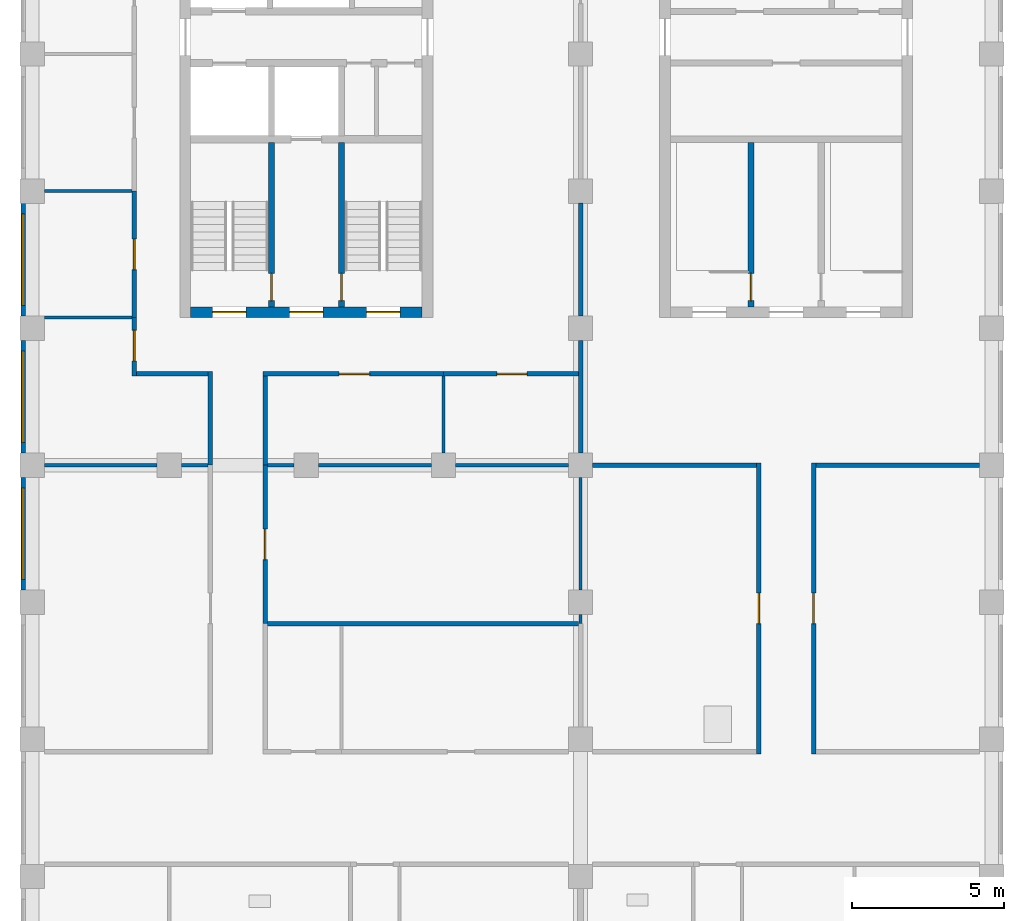
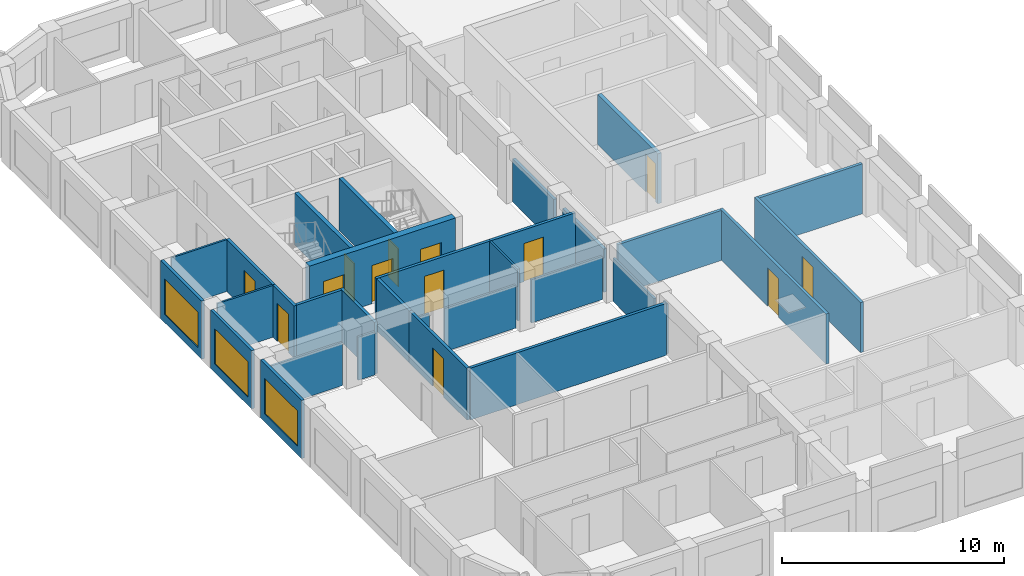
# One storey, part 4 of 10: 32 walls, 13 doors, 3 windows, 16 openings.
"""IFC4 building model written with IfcOpenShell, lengths in metres."""

from ifc_helpers import new_model, si_unit, direction, frame, frame_2d, origin, place, context, subcontext, project, spatial, rectangle, extrude, material, layer, layer_set, type_object, element, fill, save


model = new_model("IFC4")

# Units and contexts
model_context = context("Model", 3, precision=1e-05, world=origin(), true_north=direction((0.0, 1.0)))
body_context = subcontext(model_context, "Body", "Model", "MODEL_VIEW")
ifc_project = project(units=[si_unit("LENGTHUNIT", "METRE"), si_unit("AREAUNIT", "SQUARE_METRE"), si_unit("VOLUMEUNIT", "CUBIC_METRE"), si_unit("PLANEANGLEUNIT", "RADIAN"), si_unit("MASSUNIT", "GRAM", prefix="KILO")], contexts=[model_context])

# Site, building, storey
site_placement = place(None, origin())
site = spatial("IfcSite", under=ifc_project, at=site_placement, CompositionType="ELEMENT")
building_placement = place(site_placement, origin())
building = spatial("IfcBuilding", under=site, at=building_placement, Name="Girih Gate Residences", CompositionType="ELEMENT")
storey_placement = place(building_placement, frame((0.0, 0.0, 232.4951171875)))
storey = spatial("IfcBuildingStorey", under=building, at=storey_placement, Name="L65", CompositionType="ELEMENT", Elevation=232.4951171875)

# Wall, opening, door
ifc_material_1 = material(Name="Gypsum board on steel studs", Category="steel")
ifc_layer_1 = layer(ifc_material_1, 0.14990234375)
ifc_layer_set_1 = layer_set([ifc_layer_1], Name="Compartment wall 150 mm")
wall_type_1 = type_object("IfcWallType", Name="Compartment wall 150 mm", PredefinedType="PARTITIONING", material=ifc_layer_set_1)
wall_1_placement = place(storey_placement, frame((7.64990234375, 22.5, 0.0), z_axis=(0.0, 0.0, 1.0), x_axis=(0.0, -1.0, 0.0)))
wall_1 = element("IfcWall", 1, at=wall_1_placement, inside=storey, type_object=wall_type_1, Name="L65 partition", PredefinedType="PARTITIONING", context=body_context, shape_type="SweptSolid", body=[
    extrude(rectangle(XDim=5.199951171875, YDim=0.14990234375, at=frame_2d((2.60009765625, 0.0))), origin(), (0.0, 0.0, 1.0), 2.849853515625),
])
opening_1_placement = place(wall_1_placement, frame((2.10009765625, 0.0, 0.0)))
opening_1 = element("IfcOpeningElement", 2, at=opening_1_placement, cuts=wall_1, Name="Opening A65-024", PredefinedType="OPENING", context=body_context, shape_type="SweptSolid", body=[
    extrude(rectangle(XDim=1.0, YDim=2.10009765625, at=frame_2d((0.5, 1.050048828125))), frame((0.0, 0.0849609375, 0.0), z_axis=(0.0, -1.0, 0.0), x_axis=(1.0, 0.0, 0.0)), (0.0, 0.0, 1.0), 0.169921875),
])
ifc_material_2 = material(Name="Timber, fire-rated core", Category="wood")
door_type_1 = type_object("IfcDoorType", Name="Amenity room door 1000x2100 FD30S", OperationType="NOTDEFINED", PredefinedType="DOOR", material=ifc_material_2)
door_1_placement = place(opening_1_placement, origin())
door_1 = element("IfcDoor", 3, at=door_1_placement, inside=storey, type_object=door_type_1, Name="Door A65-024", OperationType="SINGLE_SWING_RIGHT", OverallHeight=2.10009765625, OverallWidth=1.0, PredefinedType="DOOR", context=body_context, shape_type="SweptSolid", body=[
    extrude(rectangle(XDim=1.0, YDim=2.10009765625, at=frame_2d((0.5, 1.050048828125))), frame((0.0, 0.02490234375, 0.0), z_axis=(0.0, -1.0, 0.0), x_axis=(1.0, 0.0, 0.0)), (0.0, 0.0, 1.0), 0.050048828125),
])
fill(opening_1, door_1)

# Walls
wall_2_placement = place(storey_placement, frame((7.72509765625, 17.300048828125, 0.0), z_axis=(0.0, 0.0, 1.0), x_axis=(1.0, 0.0, 0.0)))
element("IfcWall", 4, at=wall_2_placement, inside=storey, type_object=wall_type_1, Name="L65 partition", PredefinedType="PARTITIONING", context=body_context, shape_type="SweptSolid", body=[
    extrude(rectangle(XDim=10.199951171875, YDim=0.14990234375, at=frame_2d((5.10009765625, 0.0))), origin(), (0.0, 0.0, 1.0), 2.849853515625),
])
for number, where, z_axis, x_axis, name in (
    (5, (18.39990234375, 22.5, 0.0), (0.0, 0.0, 1.0), (1.0, 0.0, 0.0), "L65 partition"),
    (6, (25.72509765625, 22.5, 0.0), (0.0, 0.0, 1.0), (1.0, 0.0, 0.0), "L65 partition"),
):
    element("IfcWall", number, at=place(storey_placement, frame(where, z_axis=z_axis, x_axis=x_axis)), inside=storey, type_object=wall_type_1, Name=name, PredefinedType="PARTITIONING", context=body_context, shape_type="SweptSolid", body=[
        extrude(rectangle(XDim=5.375, YDim=0.14990234375, at=frame_2d((2.6875, 0.0))), origin(), (0.0, 0.0, 1.0), 2.75),
    ])
for number, where, z_axis, x_axis, name in (
    (7, (18.0, 27.39990234375, 0.0), (0.0, 0.0, 1.0), (0.0, 1.0, 0.0), "L65 partition"),
    (8, (18.0, 22.89990234375, 0.0), (0.0, 0.0, 1.0), (0.0, 1.0, 0.0), "L65 partition"),
):
    element("IfcWall", number, at=place(storey_placement, frame(where, z_axis=z_axis, x_axis=x_axis)), inside=storey, type_object=wall_type_1, Name=name, PredefinedType="PARTITIONING", context=body_context, shape_type="SweptSolid", body=[
        extrude(rectangle(XDim=3.7001953125, YDim=0.14990234375, at=frame_2d((1.85009765625, 0.0))), origin(), (0.0, 0.0, 1.0), 2.3798828125),
    ])

# Wall, opening, door
wall_3_placement = place(storey_placement, frame((23.85009765625, 13.02490234375, 0.0), z_axis=(0.0, 0.0, 1.0), x_axis=(0.0, 1.0, 0.0)))
wall_3 = element("IfcWall", 9, at=wall_3_placement, inside=storey, type_object=wall_type_1, Name="L65 partition", PredefinedType="PARTITIONING", context=body_context, shape_type="SweptSolid", body=[
    extrude(rectangle(XDim=9.550048828125, YDim=0.14990234375, at=frame_2d((4.77490234375, 0.0))), origin(), (0.0, 0.0, 1.0), 2.75),
])
opening_2_placement = place(wall_3_placement, frame((4.27490234375, 0.0, 0.0)))
opening_2 = element("IfcOpeningElement", 10, at=opening_2_placement, cuts=wall_3, Name="Opening A65-027", PredefinedType="OPENING", context=body_context, shape_type="SweptSolid", body=[
    extrude(rectangle(XDim=1.0, YDim=2.10009765625, at=frame_2d((0.5, 1.050048828125))), frame((0.0, 0.0849609375, 0.0), z_axis=(0.0, -1.0, 0.0), x_axis=(1.0, 0.0, 0.0)), (0.0, 0.0, 1.0), 0.169921875),
])
door_2_placement = place(opening_2_placement, origin())
door_2 = element("IfcDoor", 11, at=door_2_placement, inside=storey, type_object=door_type_1, Name="Door A65-027", OperationType="SINGLE_SWING_RIGHT", OverallHeight=2.10009765625, OverallWidth=1.0, PredefinedType="DOOR", context=body_context, shape_type="SweptSolid", body=[
    extrude(rectangle(XDim=1.0, YDim=2.10009765625, at=frame_2d((0.5, 1.050048828125))), frame((0.0, 0.02490234375, 0.0), z_axis=(0.0, -1.0, 0.0), x_axis=(1.0, 0.0, 0.0)), (0.0, 0.0, 1.0), 0.050048828125),
])
fill(opening_2, door_2)

wall_4_placement = place(storey_placement, frame((25.64990234375, 22.574951171875, 0.0), z_axis=(0.0, 0.0, 1.0), x_axis=(0.0, -1.0, 0.0)))
wall_4 = element("IfcWall", 12, at=wall_4_placement, inside=storey, type_object=wall_type_1, Name="L65 partition", PredefinedType="PARTITIONING", context=body_context, shape_type="SweptSolid", body=[
    extrude(rectangle(XDim=9.550048828125, YDim=0.14990234375, at=frame_2d((4.77490234375, 0.0))), origin(), (0.0, 0.0, 1.0), 2.75),
])
opening_3_placement = place(wall_4_placement, frame((4.27490234375, 0.0, 0.0)))
opening_3 = element("IfcOpeningElement", 13, at=opening_3_placement, cuts=wall_4, Name="Opening A65-028", PredefinedType="OPENING", context=body_context, shape_type="SweptSolid", body=[
    extrude(rectangle(XDim=1.0, YDim=2.10009765625, at=frame_2d((0.5, 1.050048828125))), frame((0.0, 0.0849609375, 0.0), z_axis=(0.0, -1.0, 0.0), x_axis=(1.0, 0.0, 0.0)), (0.0, 0.0, 1.0), 0.169921875),
])
door_3_placement = place(opening_3_placement, origin())
door_3 = element("IfcDoor", 14, at=door_3_placement, inside=storey, type_object=door_type_1, Name="Door A65-028", OperationType="SINGLE_SWING_LEFT", OverallHeight=2.10009765625, OverallWidth=1.0, PredefinedType="DOOR", context=body_context, shape_type="SweptSolid", body=[
    extrude(rectangle(XDim=1.0, YDim=2.10009765625, at=frame_2d((0.5, 1.050048828125))), frame((0.0, 0.02490234375, 0.0), z_axis=(0.0, -1.0, 0.0), x_axis=(1.0, 0.0, 0.0)), (0.0, 0.0, 1.0), 0.050048828125),
])
fill(opening_3, door_3)

# Walls
wall_5_placement = place(storey_placement, frame((5.85009765625, 22.5, 0.0), z_axis=(0.0, 0.0, 1.0), x_axis=(0.0, 1.0, 0.0)))
element("IfcWall", 15, at=wall_5_placement, inside=storey, type_object=wall_type_1, Name="L65 partition", PredefinedType="PARTITIONING", context=body_context, shape_type="SweptSolid", body=[
    extrude(rectangle(XDim=3.074951171875, YDim=0.14990234375, at=frame_2d((1.53759765625, 0.0))), origin(), (0.0, 0.0, 1.0), 2.849853515625),
])
wall_6_placement = place(storey_placement, frame((3.425048828125, 25.5, 0.0), z_axis=(0.0, 0.0, 1.0), x_axis=(1.0, 0.0, 0.0)))
element("IfcWall", 16, at=wall_6_placement, inside=storey, type_object=wall_type_1, Name="L65 partition", PredefinedType="PARTITIONING", context=body_context, shape_type="SweptSolid", body=[
    extrude(rectangle(XDim=2.349853515625, YDim=0.14990234375, at=frame_2d((1.1748046875, 0.0))), origin(), (0.0, 0.0, 1.0), 2.849853515625),
])

# Wall, opening, door
wall_7_placement = place(storey_placement, frame((3.35009765625, 25.425048828125, 0.0), z_axis=(0.0, 0.0, 1.0), x_axis=(0.0, 1.0, 0.0)))
wall_7 = element("IfcWall", 17, at=wall_7_placement, inside=storey, type_object=wall_type_1, Name="L65 partition", PredefinedType="PARTITIONING", context=body_context, shape_type="SweptSolid", body=[
    extrude(rectangle(XDim=1.925048828125, YDim=0.14990234375, at=frame_2d((0.96240234375, 0.0))), origin(), (0.0, 0.0, 1.0), 2.849853515625),
])
opening_4_placement = place(wall_7_placement, frame((0.5, 0.0, 0.0)))
opening_4 = element("IfcOpeningElement", 18, at=opening_4_placement, cuts=wall_7, Name="Opening A65-031", PredefinedType="OPENING", context=body_context, shape_type="SweptSolid", body=[
    extrude(rectangle(XDim=1.0, YDim=2.10009765625, at=frame_2d((0.5, 1.050048828125))), frame((0.0, 0.0849609375, 0.0), z_axis=(0.0, -1.0, 0.0), x_axis=(1.0, 0.0, 0.0)), (0.0, 0.0, 1.0), 0.169921875),
])
door_4_placement = place(opening_4_placement, origin())
door_4 = element("IfcDoor", 19, at=door_4_placement, inside=storey, type_object=door_type_1, Name="Door A65-031", OperationType="SINGLE_SWING_RIGHT", OverallHeight=2.10009765625, OverallWidth=1.0, PredefinedType="DOOR", context=body_context, shape_type="SweptSolid", body=[
    extrude(rectangle(XDim=1.0, YDim=2.10009765625, at=frame_2d((0.5, 1.050048828125))), frame((0.0, 0.02490234375, 0.0), z_axis=(0.0, -1.0, 0.0), x_axis=(1.0, 0.0, 0.0)), (0.0, 0.0, 1.0), 0.050048828125),
])
fill(opening_4, door_4)

wall_8_placement = place(storey_placement, frame((13.5, 25.5, 0.0), z_axis=(0.0, 0.0, 1.0), x_axis=(-1.0, 0.0, 0.0)))
wall_8 = element("IfcWall", 20, at=wall_8_placement, inside=storey, type_object=wall_type_1, Name="L65 partition", PredefinedType="PARTITIONING", context=body_context, shape_type="SweptSolid", body=[
    extrude(rectangle(XDim=5.925048828125, YDim=0.14990234375, at=frame_2d((2.96240234375, 0.0))), origin(), (0.0, 0.0, 1.0), 2.849853515625),
])
opening_5_placement = place(wall_8_placement, frame((2.425048828125, 0.0, 0.0)))
opening_5 = element("IfcOpeningElement", 21, at=opening_5_placement, cuts=wall_8, Name="Opening A65-032", PredefinedType="OPENING", context=body_context, shape_type="SweptSolid", body=[
    extrude(rectangle(XDim=1.0, YDim=2.10009765625, at=frame_2d((0.5, 1.050048828125))), frame((0.0, 0.0849609375, 0.0), z_axis=(0.0, -1.0, 0.0), x_axis=(1.0, 0.0, 0.0)), (0.0, 0.0, 1.0), 0.169921875),
])
door_5_placement = place(opening_5_placement, origin())
door_5 = element("IfcDoor", 22, at=door_5_placement, inside=storey, type_object=door_type_1, Name="Door A65-032", OperationType="SINGLE_SWING_LEFT", OverallHeight=2.10009765625, OverallWidth=1.0, PredefinedType="DOOR", context=body_context, shape_type="SweptSolid", body=[
    extrude(rectangle(XDim=1.0, YDim=2.10009765625, at=frame_2d((0.5, 1.050048828125))), frame((0.0, 0.02490234375, 0.0), z_axis=(0.0, -1.0, 0.0), x_axis=(1.0, 0.0, 0.0)), (0.0, 0.0, 1.0), 0.050048828125),
])
fill(opening_5, door_5)

# Wall
wall_9_placement = place(storey_placement, frame((7.64990234375, 22.5, 0.0), z_axis=(0.0, 0.0, 1.0), x_axis=(0.0, 1.0, 0.0)))
element("IfcWall", 23, at=wall_9_placement, inside=storey, type_object=wall_type_1, Name="L65 partition", PredefinedType="PARTITIONING", context=body_context, shape_type="SweptSolid", body=[
    extrude(rectangle(XDim=2.925048828125, YDim=0.14990234375, at=frame_2d((1.46240234375, 0.0))), origin(), (0.0, 0.0, 1.0), 2.849853515625),
])

# Wall, opening, door
wall_10_placement = place(storey_placement, frame((17.925048828125, 25.5, 0.0), z_axis=(0.0, 0.0, 1.0), x_axis=(-1.0, 0.0, 0.0)))
wall_10 = element("IfcWall", 24, at=wall_10_placement, inside=storey, type_object=wall_type_1, Name="L65 partition", PredefinedType="PARTITIONING", context=body_context, shape_type="SweptSolid", body=[
    extrude(rectangle(XDim=4.425048828125, YDim=0.14990234375, at=frame_2d((2.21240234375, 0.0))), origin(), (0.0, 0.0, 1.0), 2.849853515625),
])
opening_6_placement = place(wall_10_placement, frame((1.675048828125, 0.0, 0.0)))
opening_6 = element("IfcOpeningElement", 25, at=opening_6_placement, cuts=wall_10, Name="Opening A65-033", PredefinedType="OPENING", context=body_context, shape_type="SweptSolid", body=[
    extrude(rectangle(XDim=1.0, YDim=2.10009765625, at=frame_2d((0.5, 1.050048828125))), frame((0.0, 0.0849609375, 0.0), z_axis=(0.0, -1.0, 0.0), x_axis=(1.0, 0.0, 0.0)), (0.0, 0.0, 1.0), 0.169921875),
])
door_6_placement = place(opening_6_placement, origin())
door_6 = element("IfcDoor", 26, at=door_6_placement, inside=storey, type_object=door_type_1, Name="Door A65-033", OperationType="SINGLE_SWING_LEFT", OverallHeight=2.10009765625, OverallWidth=1.0, PredefinedType="DOOR", context=body_context, shape_type="SweptSolid", body=[
    extrude(rectangle(XDim=1.0, YDim=2.10009765625, at=frame_2d((0.5, 1.050048828125))), frame((0.0, 0.02490234375, 0.0), z_axis=(0.0, -1.0, 0.0), x_axis=(1.0, 0.0, 0.0)), (0.0, 0.0, 1.0), 0.050048828125),
])
fill(opening_6, door_6)

wall_11_placement = place(storey_placement, frame((3.35009765625, 27.35009765625, 0.0), z_axis=(0.0, 0.0, 1.0), x_axis=(0.0, 1.0, 0.0)))
wall_11 = element("IfcWall", 27, at=wall_11_placement, inside=storey, type_object=wall_type_1, Name="L65 partition", PredefinedType="PARTITIONING", context=body_context, shape_type="SweptSolid", body=[
    extrude(rectangle(XDim=4.14990234375, YDim=0.14990234375, at=frame_2d((2.074951171875, 0.0))), origin(), (0.0, 0.0, 1.0), 2.849853515625),
])
opening_7_placement = place(wall_11_placement, frame((1.574951171875, 0.0, 0.0)))
opening_7 = element("IfcOpeningElement", 28, at=opening_7_placement, cuts=wall_11, Name="Opening A65-034", PredefinedType="OPENING", context=body_context, shape_type="SweptSolid", body=[
    extrude(rectangle(XDim=1.0, YDim=2.10009765625, at=frame_2d((0.5, 1.050048828125))), frame((0.0, 0.0849609375, 0.0), z_axis=(0.0, -1.0, 0.0), x_axis=(1.0, 0.0, 0.0)), (0.0, 0.0, 1.0), 0.169921875),
])
door_7_placement = place(opening_7_placement, origin())
door_7 = element("IfcDoor", 29, at=door_7_placement, inside=storey, type_object=door_type_1, Name="Door A65-034", OperationType="SINGLE_SWING_RIGHT", OverallHeight=2.10009765625, OverallWidth=1.0, PredefinedType="DOOR", context=body_context, shape_type="SweptSolid", body=[
    extrude(rectangle(XDim=1.0, YDim=2.10009765625, at=frame_2d((0.5, 1.050048828125))), frame((0.0, 0.02490234375, 0.0), z_axis=(0.0, -1.0, 0.0), x_axis=(1.0, 0.0, 0.0)), (0.0, 0.0, 1.0), 0.050048828125),
])
fill(opening_7, door_7)

# Wall, openings, doors
ifc_material_3 = material(Name="Concrete C60/75", Category="concrete")
ifc_layer_2 = layer(ifc_material_3, 0.35009765625)
ifc_layer_set_2 = layer_set([ifc_layer_2], Name="Core wall RC 350 Concrete C60/75")
wall_type_2 = type_object("IfcWallType", Name="Core wall RC 350 Concrete C60/75", PredefinedType="SOLIDWALL", material=ifc_layer_set_2)
wall_12_placement = place(storey_placement, frame((5.199951171875, 27.52490234375, 0.0), z_axis=(0.0, 0.0, 1.0), x_axis=(1.0, 0.0, 0.0)))
wall_12 = element("IfcWall", 30, at=wall_12_placement, inside=storey, type_object=wall_type_2, Name="Core wall W-S L65", PredefinedType="SOLIDWALL", context=body_context, shape_type="SweptSolid", body=[
    extrude(rectangle(XDim=7.60009765625, YDim=0.35009765625, at=frame_2d((3.800048828125, 0.0))), origin(), (0.0, 0.0, 1.0), 3.199951171875),
])
opening_8_placement = place(wall_12_placement, frame((0.72509765625, 0.0, 0.0)))
opening_8 = element("IfcOpeningElement", 31, at=opening_8_placement, cuts=wall_12, Name="Opening D-L65-W-009", PredefinedType="OPENING", context=body_context, shape_type="SweptSolid", body=[
    extrude(rectangle(XDim=1.10009765625, YDim=2.10009765625, at=frame_2d((0.550048828125, 1.050048828125))), frame((0.0, 0.18505859375, 0.0), z_axis=(0.0, -1.0, 0.0), x_axis=(1.0, 0.0, 0.0)), (0.0, 0.0, 1.0), 0.3701171875),
])
opening_9_placement = place(wall_12_placement, frame((3.25, 0.0, 0.0)))
opening_9 = element("IfcOpeningElement", 32, at=opening_9_placement, cuts=wall_12, Name="Opening D-L65-W-010", PredefinedType="OPENING", context=body_context, shape_type="SweptSolid", body=[
    extrude(rectangle(XDim=1.10009765625, YDim=2.10009765625, at=frame_2d((0.550048828125, 1.050048828125))), frame((0.0, 0.18505859375, 0.0), z_axis=(0.0, -1.0, 0.0), x_axis=(1.0, 0.0, 0.0)), (0.0, 0.0, 1.0), 0.3701171875),
])
opening_10_placement = place(wall_12_placement, frame((5.77490234375, 0.0, 0.0)))
opening_10 = element("IfcOpeningElement", 33, at=opening_10_placement, cuts=wall_12, Name="Opening D-L65-W-011", PredefinedType="OPENING", context=body_context, shape_type="SweptSolid", body=[
    extrude(rectangle(XDim=1.10009765625, YDim=2.10009765625, at=frame_2d((0.550048828125, 1.050048828125))), frame((0.0, 0.18505859375, 0.0), z_axis=(0.0, -1.0, 0.0), x_axis=(1.0, 0.0, 0.0)), (0.0, 0.0, 1.0), 0.3701171875),
])
ifc_material_4 = material(Name="Painted steel, fire-resisting", Category="steel")
door_type_2 = type_object("IfcDoorType", Name="Fire door 1100x2100", OperationType="SINGLE_SWING_LEFT", PredefinedType="DOOR", material=ifc_material_4)
door_8_placement = place(opening_8_placement, origin())
door_8 = element("IfcDoor", 34, at=door_8_placement, inside=storey, type_object=door_type_2, Name="L65 W core door sta-out", OperationType="SINGLE_SWING_LEFT", OverallHeight=2.10009765625, OverallWidth=1.10009765625, PredefinedType="DOOR", context=body_context, shape_type="SweptSolid", body=[
    extrude(rectangle(XDim=1.10009765625, YDim=2.10009765625, at=frame_2d((0.550048828125, 1.050048828125))), frame((0.0, 0.02490234375, 0.0), z_axis=(0.0, -1.0, 0.0), x_axis=(1.0, 0.0, 0.0)), (0.0, 0.0, 1.0), 0.050048828125),
])
fill(opening_8, door_8)
door_9_placement = place(opening_9_placement, origin())
door_9 = element("IfcDoor", 35, at=door_9_placement, inside=storey, type_object=door_type_2, Name="L65 W core door ffl-out", OperationType="SINGLE_SWING_LEFT", OverallHeight=2.10009765625, OverallWidth=1.10009765625, PredefinedType="DOOR", context=body_context, shape_type="SweptSolid", body=[
    extrude(rectangle(XDim=1.10009765625, YDim=2.10009765625, at=frame_2d((0.550048828125, 1.050048828125))), frame((0.0, 0.02490234375, 0.0), z_axis=(0.0, -1.0, 0.0), x_axis=(1.0, 0.0, 0.0)), (0.0, 0.0, 1.0), 0.050048828125),
])
fill(opening_9, door_9)
door_10_placement = place(opening_10_placement, origin())
door_10 = element("IfcDoor", 36, at=door_10_placement, inside=storey, type_object=door_type_2, Name="L65 W core door stb-out", OperationType="SINGLE_SWING_LEFT", OverallHeight=2.10009765625, OverallWidth=1.10009765625, PredefinedType="DOOR", context=body_context, shape_type="SweptSolid", body=[
    extrude(rectangle(XDim=1.10009765625, YDim=2.10009765625, at=frame_2d((0.550048828125, 1.050048828125))), frame((0.0, 0.02490234375, 0.0), z_axis=(0.0, -1.0, 0.0), x_axis=(1.0, 0.0, 0.0)), (0.0, 0.0, 1.0), 0.050048828125),
])
fill(opening_10, door_10)

# Walls
ifc_layer_3 = layer(ifc_material_1, 0.10009765625)
ifc_layer_set_3 = layer_set([ifc_layer_3], Name="Partition 100 mm")
wall_type_3 = type_object("IfcWallType", Name="Partition 100 mm", PredefinedType="PARTITIONING", material=ifc_layer_set_3)
wall_13_placement = place(storey_placement, frame((18.0, 18.39990234375, 0.0), z_axis=(0.0, 0.0, 1.0), x_axis=(0.0, 1.0, 0.0)))
element("IfcWall", 37, at=wall_13_placement, inside=storey, type_object=wall_type_3, Name="L65 partition", PredefinedType="PARTITIONING", context=body_context, shape_type="SweptSolid", body=[
    extrude(rectangle(XDim=3.7001953125, YDim=0.10009765625, at=frame_2d((1.85009765625, 0.0))), origin(), (0.0, 0.0, 1.0), 2.3798828125),
])
wall_14_placement = place(storey_placement, frame((18.0, 17.300048828125, 0.0), z_axis=(0.0, 0.0, 1.0), x_axis=(0.0, 1.0, 0.0)))
element("IfcWall", 38, at=wall_14_placement, inside=storey, type_object=wall_type_3, Name="L65 partition", PredefinedType="PARTITIONING", context=body_context, shape_type="SweptSolid", body=[
    extrude(rectangle(XDim=0.300048828125, YDim=0.10009765625, at=frame_2d((0.14990234375, 0.0))), origin(), (0.0, 0.0, 1.0), 2.75),
])
wall_15_placement = place(storey_placement, frame((7.72509765625, 22.5, 0.0), z_axis=(0.0, 0.0, 1.0), x_axis=(1.0, 0.0, 0.0)))
element("IfcWall", 39, at=wall_15_placement, inside=storey, type_object=wall_type_3, Name="L65 partition", PredefinedType="PARTITIONING", context=body_context, shape_type="SweptSolid", body=[
    extrude(rectangle(XDim=0.875, YDim=0.10009765625, at=frame_2d((0.4375, 0.0))), origin(), (0.0, 0.0, 1.0), 2.3798828125),
])
for number, where, z_axis, x_axis, name in (
    (40, (9.39990234375, 22.5, 0.0), (0.0, 0.0, 1.0), (1.0, 0.0, 0.0), "L65 partition"),
    (41, (13.89990234375, 22.5, 0.0), (0.0, 0.0, 1.0), (1.0, 0.0, 0.0), "L65 partition"),
):
    element("IfcWall", number, at=place(storey_placement, frame(where, z_axis=z_axis, x_axis=x_axis)), inside=storey, type_object=wall_type_3, Name=name, PredefinedType="PARTITIONING", context=body_context, shape_type="SweptSolid", body=[
        extrude(rectangle(XDim=3.7001953125, YDim=0.10009765625, at=frame_2d((1.85009765625, 0.0))), origin(), (0.0, 0.0, 1.0), 2.3798828125),
    ])
wall_16_placement = place(storey_placement, frame((0.39990234375, 27.35009765625, 0.0), z_axis=(0.0, 0.0, 1.0), x_axis=(1.0, 0.0, 0.0)))
element("IfcWall", 42, at=wall_16_placement, inside=storey, type_object=wall_type_3, Name="L65 partition", PredefinedType="PARTITIONING", context=body_context, shape_type="SweptSolid", body=[
    extrude(rectangle(XDim=2.875, YDim=0.10009765625, at=frame_2d((1.4375, 0.0))), origin(), (0.0, 0.0, 1.0), 2.849853515625),
])
wall_17_placement = place(storey_placement, frame((4.89990234375, 22.5, 0.0), z_axis=(0.0, 0.0, 1.0), x_axis=(1.0, 0.0, 0.0)))
element("IfcWall", 43, at=wall_17_placement, inside=storey, type_object=wall_type_3, Name="L65 partition", PredefinedType="PARTITIONING", context=body_context, shape_type="SweptSolid", body=[
    extrude(rectangle(XDim=0.875, YDim=0.10009765625, at=frame_2d((0.4375, 0.0))), origin(), (0.0, 0.0, 1.0), 2.3798828125),
])
wall_18_placement = place(storey_placement, frame((0.39990234375, 22.5, 0.0), z_axis=(0.0, 0.0, 1.0), x_axis=(1.0, 0.0, 0.0)))
element("IfcWall", 44, at=wall_18_placement, inside=storey, type_object=wall_type_3, Name="L65 partition", PredefinedType="PARTITIONING", context=body_context, shape_type="SweptSolid", body=[
    extrude(rectangle(XDim=3.7001953125, YDim=0.10009765625, at=frame_2d((1.85009765625, 0.0))), origin(), (0.0, 0.0, 1.0), 2.3798828125),
])
wall_19_placement = place(storey_placement, frame((13.5, 22.89990234375, 0.0), z_axis=(0.0, 0.0, 1.0), x_axis=(0.0, 1.0, 0.0)))
element("IfcWall", 45, at=wall_19_placement, inside=storey, type_object=wall_type_3, Name="L65 partition", PredefinedType="PARTITIONING", context=body_context, shape_type="SweptSolid", body=[
    extrude(rectangle(XDim=2.525146484375, YDim=0.10009765625, at=frame_2d((1.2626953125, 0.0))), origin(), (0.0, 0.0, 1.0), 2.849853515625),
])
wall_20_placement = place(storey_placement, frame((0.39990234375, 31.5, 0.0), z_axis=(0.0, 0.0, 1.0), x_axis=(1.0, 0.0, 0.0)))
element("IfcWall", 46, at=wall_20_placement, inside=storey, type_object=wall_type_3, Name="L65 partition", PredefinedType="PARTITIONING", context=body_context, shape_type="SweptSolid", body=[
    extrude(rectangle(XDim=2.875, YDim=0.10009765625, at=frame_2d((1.4375, 0.0))), origin(), (0.0, 0.0, 1.0), 2.849853515625),
])

# Wall, opening, window
ifc_material_5 = material(Name="Precast concrete C50/60", Category="concrete")
ifc_layer_4 = layer(ifc_material_5, 0.050048828125, Name="Outer leaf")
ifc_material_6 = material(Name="Rigid PIR insulation")
ifc_layer_5 = layer(ifc_material_6, 0.06005859375, Name="Insulation")
ifc_material_7 = material(Name="Precast concrete C40/50", Category="concrete")
ifc_layer_6 = layer(ifc_material_7, 0.0400390625, Name="Inner leaf")
ifc_layer_set_4 = layer_set([ifc_layer_4, ifc_layer_5, ifc_layer_6], Name="Precast concrete C50/60 external wall 150")
wall_type_4 = type_object("IfcWallType", Name="Precast concrete C50/60 external wall 150", PredefinedType="SOLIDWALL", material=ifc_layer_set_4)
wall_21_placement = place(storey_placement, frame((-0.300048828125, 27.39990234375, 0.0), z_axis=(0.0, 0.0, 1.0), x_axis=(0.0, 1.0, 0.0)))
wall_21 = element("IfcWall", 47, at=wall_21_placement, inside=storey, type_object=wall_type_4, Name="External wall W0000_0450.3", PredefinedType="SOLIDWALL", context=body_context, shape_type="SweptSolid", body=[
    extrude(rectangle(XDim=3.7001953125, YDim=0.14990234375, at=frame_2d((1.85009765625, 0.0))), origin(), (0.0, 0.0, 1.0), 3.199951171875),
])
opening_11_placement = place(wall_21_placement, frame((0.35009765625, 0.0, 0.449951171875)))
opening_11 = element("IfcOpeningElement", 48, at=opening_11_placement, cuts=wall_21, Name="Opening W-1D", PredefinedType="OPENING", context=body_context, shape_type="SweptSolid", body=[
    extrude(rectangle(XDim=3.0, YDim=1.949951171875, at=frame_2d((1.5, 0.97509765625))), frame((0.0, 0.0849609375, 0.0), z_axis=(0.0, -1.0, 0.0), x_axis=(1.0, 0.0, 0.0)), (0.0, 0.0, 1.0), 0.169921875),
])
ifc_material_8 = material(Name="Double glazing in aluminium frame", Category="aluminium")
window_type = type_object("IfcWindowType", Name="Window W-1D 3000x1950", PartitioningType="SINGLE_PANEL", PredefinedType="WINDOW", material=ifc_material_8)
window_1_placement = place(opening_11_placement, origin())
window_1 = element("IfcWindow", 49, at=window_1_placement, inside=storey, type_object=window_type, Name="Window W-1D W0000_0450.3", OverallHeight=1.949951171875, OverallWidth=3.0, PartitioningType="SINGLE_PANEL", PredefinedType="WINDOW", context=body_context, shape_type="SweptSolid", body=[
    extrude(rectangle(XDim=3.0, YDim=1.949951171875, at=frame_2d((1.5, 0.97509765625))), frame((0.0, 0.030029296875, 0.0), z_axis=(0.0, -1.0, 0.0), x_axis=(1.0, 0.0, 0.0)), (0.0, 0.0, 1.0), 0.06005859375),
])
fill(opening_11, window_1)

wall_22_placement = place(storey_placement, frame((-0.300048828125, 22.89990234375, 0.0), z_axis=(0.0, 0.0, 1.0), x_axis=(0.0, 1.0, 0.0)))
wall_22 = element("IfcWall", 50, at=wall_22_placement, inside=storey, type_object=wall_type_4, Name="External wall W0000_0450.4", PredefinedType="SOLIDWALL", context=body_context, shape_type="SweptSolid", body=[
    extrude(rectangle(XDim=3.7001953125, YDim=0.14990234375, at=frame_2d((1.85009765625, 0.0))), origin(), (0.0, 0.0, 1.0), 3.199951171875),
])
opening_12_placement = place(wall_22_placement, frame((0.35009765625, 0.0, 0.449951171875)))
opening_12 = element("IfcOpeningElement", 51, at=opening_12_placement, cuts=wall_22, Name="Opening W-1D", PredefinedType="OPENING", context=body_context, shape_type="SweptSolid", body=[
    extrude(rectangle(XDim=3.0, YDim=1.949951171875, at=frame_2d((1.5, 0.97509765625))), frame((0.0, 0.0849609375, 0.0), z_axis=(0.0, -1.0, 0.0), x_axis=(1.0, 0.0, 0.0)), (0.0, 0.0, 1.0), 0.169921875),
])
window_2_placement = place(opening_12_placement, origin())
window_2 = element("IfcWindow", 52, at=window_2_placement, inside=storey, type_object=window_type, Name="Window W-1D W0000_0450.4", OverallHeight=1.949951171875, OverallWidth=3.0, PartitioningType="SINGLE_PANEL", PredefinedType="WINDOW", context=body_context, shape_type="SweptSolid", body=[
    extrude(rectangle(XDim=3.0, YDim=1.949951171875, at=frame_2d((1.5, 0.97509765625))), frame((0.0, 0.030029296875, 0.0), z_axis=(0.0, -1.0, 0.0), x_axis=(1.0, 0.0, 0.0)), (0.0, 0.0, 1.0), 0.06005859375),
])
fill(opening_12, window_2)

wall_23_placement = place(storey_placement, frame((-0.300048828125, 18.39990234375, 0.0), z_axis=(0.0, 0.0, 1.0), x_axis=(0.0, 1.0, 0.0)))
wall_23 = element("IfcWall", 53, at=wall_23_placement, inside=storey, type_object=wall_type_4, Name="External wall W0000_0450.5", PredefinedType="SOLIDWALL", context=body_context, shape_type="SweptSolid", body=[
    extrude(rectangle(XDim=3.7001953125, YDim=0.14990234375, at=frame_2d((1.85009765625, 0.0))), origin(), (0.0, 0.0, 1.0), 3.199951171875),
])
opening_13_placement = place(wall_23_placement, frame((0.35009765625, 0.0, 0.449951171875)))
opening_13 = element("IfcOpeningElement", 54, at=opening_13_placement, cuts=wall_23, Name="Opening W-1D", PredefinedType="OPENING", context=body_context, shape_type="SweptSolid", body=[
    extrude(rectangle(XDim=3.0, YDim=1.949951171875, at=frame_2d((1.5, 0.97509765625))), frame((0.0, 0.0849609375, 0.0), z_axis=(0.0, -1.0, 0.0), x_axis=(1.0, 0.0, 0.0)), (0.0, 0.0, 1.0), 0.169921875),
])
window_3_placement = place(opening_13_placement, origin())
window_3 = element("IfcWindow", 55, at=window_3_placement, inside=storey, type_object=window_type, Name="Window W-1D W0000_0450.5", OverallHeight=1.949951171875, OverallWidth=3.0, PartitioningType="SINGLE_PANEL", PredefinedType="WINDOW", context=body_context, shape_type="SweptSolid", body=[
    extrude(rectangle(XDim=3.0, YDim=1.949951171875, at=frame_2d((1.5, 0.97509765625))), frame((0.0, 0.030029296875, 0.0), z_axis=(0.0, -1.0, 0.0), x_axis=(1.0, 0.0, 0.0)), (0.0, 0.0, 1.0), 0.06005859375),
])
fill(opening_13, window_3)

# Wall, opening, door
ifc_material_9 = material(Name="Concrete C40/50", Category="concrete")
ifc_layer_7 = layer(ifc_material_9, 0.199951171875)
ifc_layer_set_5 = layer_set([ifc_layer_7], Name="Shaft wall 200")
wall_type_5 = type_object("IfcWallType", Name="Shaft wall 200", PredefinedType="SOLIDWALL", material=ifc_layer_set_5)
wall_24_placement = place(storey_placement, frame((7.85009765625, 27.699951171875, 0.0), z_axis=(0.0, 0.0, 1.0), x_axis=(0.0, 1.0, 0.0)))
wall_24 = element("IfcWall", 56, at=wall_24_placement, inside=storey, type_object=wall_type_5, Name="L65 W core wall V1a", PredefinedType="SOLIDWALL", context=body_context, shape_type="SweptSolid", body=[
    extrude(rectangle(XDim=5.400146484375, YDim=0.199951171875, at=frame_2d((2.7001953125, 0.0))), origin(), (0.0, 0.0, 1.0), 2.849853515625),
])
opening_14_placement = place(wall_24_placement, frame((0.199951171875, 0.0, 0.0)))
opening_14 = element("IfcOpeningElement", 57, at=opening_14_placement, cuts=wall_24, Name="Opening D-L65-W-001", PredefinedType="OPENING", context=body_context, shape_type="SweptSolid", body=[
    extrude(rectangle(XDim=0.89990234375, YDim=2.10009765625, at=frame_2d((0.449951171875, 1.050048828125))), frame((0.0, 0.10986328125, 0.0), z_axis=(0.0, -1.0, 0.0), x_axis=(1.0, 0.0, 0.0)), (0.0, 0.0, 1.0), 0.219970703125),
])
door_type_3 = type_object("IfcDoorType", Name="Fire door 900x2100", OperationType="SINGLE_SWING_LEFT", PredefinedType="DOOR", material=ifc_material_4)
door_11_placement = place(opening_14_placement, origin())
door_11 = element("IfcDoor", 58, at=door_11_placement, inside=storey, type_object=door_type_3, Name="L65 W door stair 1 to firefighting lobby", OperationType="SINGLE_SWING_LEFT", OverallHeight=2.10009765625, OverallWidth=0.89990234375, PredefinedType="DOOR", context=body_context, shape_type="SweptSolid", body=[
    extrude(rectangle(XDim=0.89990234375, YDim=2.10009765625, at=frame_2d((0.449951171875, 1.050048828125))), frame((0.0, 0.02490234375, 0.0), z_axis=(0.0, -1.0, 0.0), x_axis=(1.0, 0.0, 0.0)), (0.0, 0.0, 1.0), 0.050048828125),
])
fill(opening_14, door_11)

wall_25_placement = place(storey_placement, frame((10.14990234375, 27.699951171875, 0.0), z_axis=(0.0, 0.0, 1.0), x_axis=(0.0, 1.0, 0.0)))
wall_25 = element("IfcWall", 59, at=wall_25_placement, inside=storey, type_object=wall_type_5, Name="L65 W core wall V2a", PredefinedType="SOLIDWALL", context=body_context, shape_type="SweptSolid", body=[
    extrude(rectangle(XDim=5.400146484375, YDim=0.199951171875, at=frame_2d((2.7001953125, 0.0))), origin(), (0.0, 0.0, 1.0), 2.849853515625),
])
opening_15_placement = place(wall_25_placement, frame((0.199951171875, 0.0, 0.0)))
opening_15 = element("IfcOpeningElement", 60, at=opening_15_placement, cuts=wall_25, Name="Opening D-L65-W-002", PredefinedType="OPENING", context=body_context, shape_type="SweptSolid", body=[
    extrude(rectangle(XDim=0.89990234375, YDim=2.10009765625, at=frame_2d((0.449951171875, 1.050048828125))), frame((0.0, 0.10986328125, 0.0), z_axis=(0.0, -1.0, 0.0), x_axis=(1.0, 0.0, 0.0)), (0.0, 0.0, 1.0), 0.219970703125),
])
door_12_placement = place(opening_15_placement, origin())
door_12 = element("IfcDoor", 61, at=door_12_placement, inside=storey, type_object=door_type_3, Name="L65 W door stair 2 to firefighting lobby", OperationType="SINGLE_SWING_LEFT", OverallHeight=2.10009765625, OverallWidth=0.89990234375, PredefinedType="DOOR", context=body_context, shape_type="SweptSolid", body=[
    extrude(rectangle(XDim=0.89990234375, YDim=2.10009765625, at=frame_2d((0.449951171875, 1.050048828125))), frame((0.0, 0.02490234375, 0.0), z_axis=(0.0, -1.0, 0.0), x_axis=(1.0, 0.0, 0.0)), (0.0, 0.0, 1.0), 0.050048828125),
])
fill(opening_15, door_12)

wall_26_placement = place(storey_placement, frame((23.60009765625, 27.699951171875, 0.0), z_axis=(0.0, 0.0, 1.0), x_axis=(0.0, 1.0, 0.0)))
wall_26 = element("IfcWall", 62, at=wall_26_placement, inside=storey, type_object=wall_type_5, Name="L65 C core wall V1a", PredefinedType="SOLIDWALL", context=body_context, shape_type="SweptSolid", body=[
    extrude(rectangle(XDim=5.400146484375, YDim=0.199951171875, at=frame_2d((2.7001953125, 0.0))), origin(), (0.0, 0.0, 1.0), 2.75),
])
opening_16_placement = place(wall_26_placement, frame((0.199951171875, 0.0, 0.0)))
opening_16 = element("IfcOpeningElement", 63, at=opening_16_placement, cuts=wall_26, Name="Opening D-L65-C-001", PredefinedType="OPENING", context=body_context, shape_type="SweptSolid", body=[
    extrude(rectangle(XDim=0.89990234375, YDim=2.10009765625, at=frame_2d((0.449951171875, 1.050048828125))), frame((0.0, 0.10986328125, 0.0), z_axis=(0.0, -1.0, 0.0), x_axis=(1.0, 0.0, 0.0)), (0.0, 0.0, 1.0), 0.219970703125),
])
door_13_placement = place(opening_16_placement, origin())
door_13 = element("IfcDoor", 64, at=door_13_placement, inside=storey, type_object=door_type_3, Name="L65 C door stair 1 to stair lobby", OperationType="SINGLE_SWING_LEFT", OverallHeight=2.10009765625, OverallWidth=0.89990234375, PredefinedType="DOOR", context=body_context, shape_type="SweptSolid", body=[
    extrude(rectangle(XDim=0.89990234375, YDim=2.10009765625, at=frame_2d((0.449951171875, 1.050048828125))), frame((0.0, 0.02490234375, 0.0), z_axis=(0.0, -1.0, 0.0), x_axis=(1.0, 0.0, 0.0)), (0.0, 0.0, 1.0), 0.050048828125),
])
fill(opening_16, door_13)

save(model, "model.ifc")
